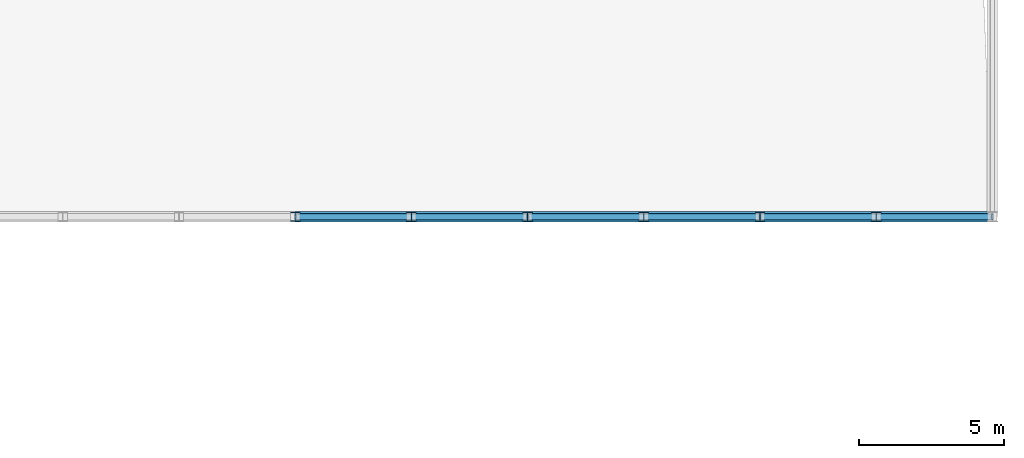
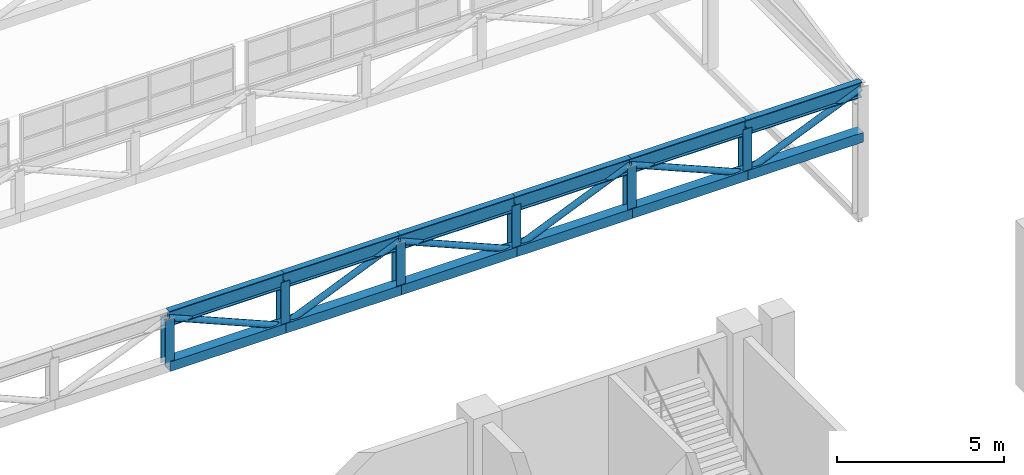
# One storey, part 72 of 159: 24 members.
"""IFC4 building model written with IfcOpenShell, lengths in metres."""

from ifc_helpers import new_model, si_unit, direction, frame, origin, origin_2d, place, context, subcontext, project, spatial, hollow_rectangle, hollow_circle, i_section, extrude, material, material_profile, profile_set, type_object, element, save


model = new_model("IFC4")

# Units and contexts
model_context = context("Model", 3, precision=1e-05, world=origin(), true_north=direction((0.0, 1.0)))
body_context = subcontext(model_context, "Body", "Model", "MODEL_VIEW")
ifc_project = project(units=[si_unit("LENGTHUNIT", "METRE"), si_unit("AREAUNIT", "SQUARE_METRE"), si_unit("VOLUMEUNIT", "CUBIC_METRE"), si_unit("PLANEANGLEUNIT", "RADIAN"), si_unit("MASSUNIT", "GRAM", prefix="KILO")], contexts=[model_context])

# Site, building, storey
site_placement = place(None, origin())
site = spatial("IfcSite", under=ifc_project, at=site_placement, CompositionType="ELEMENT")
building_placement = place(site_placement, origin())
building = spatial("IfcBuilding", under=site, at=building_placement, Name="Cazmaro Siding Exhibition Halls", CompositionType="ELEMENT")
storey_placement = place(building_placement, frame((0.0, 0.0, 6.0)))
storey = spatial("IfcBuildingStorey", under=building, at=storey_placement, Name="L01", CompositionType="ELEMENT", Elevation=6.0)

# Members
ifc_material_1 = material(Name="Steel ASTM A992 Grade 50", Category="steel")
ifc_material_profile_1 = material_profile(ifc_material_1, i_section(OverallWidth=0.214111328125, OverallDepth=0.549072265625, WebThickness=0.014892578125, FlangeThickness=0.02392578125, at=origin_2d()), Name="W21X93")
ifc_profile_set_1 = profile_set([ifc_material_profile_1], Name="Steel ASTM A992 Grade 50")
member_type_1 = type_object("IfcMemberType", Name="TC-04", PredefinedType="CHORD", material=ifc_profile_set_1)
for number, where, z_axis, x_axis, name in (
    (1, (192.0, 64.0, 4.64990234375), (1.0, 0.0, 0.0), (0.0, 1.0, 0.0), "Sawtooth truss top chord TC-04 MEM-2983"),
    (2, (196.0, 64.0, 4.64990234375), (1.0, 0.0, 0.0), (0.0, 1.0, 0.0), "Sawtooth truss top chord TC-04 MEM-2986"),
    (3, (200.0, 64.0, 4.64990234375), (1.0, 0.0, 0.0), (0.0, 1.0, 0.0), "Sawtooth truss top chord TC-04 MEM-2989"),
    (4, (204.0, 64.0, 4.64990234375), (1.0, 0.0, 0.0), (0.0, 1.0, 0.0), "Sawtooth truss top chord TC-04 MEM-2992"),
    (5, (208.0, 64.0, 4.64990234375), (1.0, 0.0, 0.0), (0.0, 1.0, 0.0), "Sawtooth truss top chord TC-04 MEM-2995"),
    (6, (212.0, 64.0, 4.64990234375), (1.0, 0.0, 0.0), (0.0, 1.0, 0.0), "Sawtooth truss top chord TC-04 MEM-2998"),
):
    element("IfcMember", number, at=place(storey_placement, frame(where, z_axis=z_axis, x_axis=x_axis)), inside=storey, type_object=member_type_1, Name=name, PredefinedType="CHORD", context=body_context, shape_type="SweptSolid", body=[
        extrude(i_section(OverallWidth=0.214111328125, OverallDepth=0.549072265625, WebThickness=0.014892578125, FlangeThickness=0.02392578125, at=origin_2d()), origin(), (0.0, 0.0, 1.0), 4.0),
    ])
ifc_material_2 = material(Name="Steel ASTM A500 Grade C", Category="steel")
ifc_material_profile_2 = material_profile(ifc_material_2, hollow_rectangle(XDim=0.35595703125, YDim=0.35595703125, WallThickness=0.014892578125, at=origin_2d()), Name="HSS14X14X5/8")
ifc_profile_set_2 = profile_set([ifc_material_profile_2], Name="Steel ASTM A500 Grade C")
member_type_2 = type_object("IfcMemberType", Name="TC-05", PredefinedType="CHORD", material=ifc_profile_set_2)
for number, where, z_axis, x_axis, name in (
    (7, (192.0, 64.0, 2.949951171875), (1.0, 0.0, 0.0), (0.0, 1.0, 0.0), "Sawtooth truss bottom chord TC-05 MEM-2984"),
    (8, (196.0, 64.0, 2.949951171875), (1.0, 0.0, 0.0), (0.0, 1.0, 0.0), "Sawtooth truss bottom chord TC-05 MEM-2987"),
    (9, (200.0, 64.0, 2.949951171875), (1.0, 0.0, 0.0), (0.0, 1.0, 0.0), "Sawtooth truss bottom chord TC-05 MEM-2990"),
    (10, (204.0, 64.0, 2.949951171875), (1.0, 0.0, 0.0), (0.0, 1.0, 0.0), "Sawtooth truss bottom chord TC-05 MEM-2993"),
    (11, (208.0, 64.0, 2.949951171875), (1.0, 0.0, 0.0), (0.0, 1.0, 0.0), "Sawtooth truss bottom chord TC-05 MEM-2996"),
    (12, (212.0, 64.0, 2.949951171875), (1.0, 0.0, 0.0), (0.0, 1.0, 0.0), "Sawtooth truss bottom chord TC-05 MEM-2999"),
):
    element("IfcMember", number, at=place(storey_placement, frame(where, z_axis=z_axis, x_axis=x_axis)), inside=storey, type_object=member_type_2, Name=name, PredefinedType="CHORD", context=body_context, shape_type="SweptSolid", body=[
        extrude(hollow_rectangle(XDim=0.35595703125, YDim=0.35595703125, WallThickness=0.014892578125, at=origin_2d()), origin(), (0.0, 0.0, 1.0), 4.0),
    ])
ifc_material_3 = material(Name="Steel ASTM A992 Grade 50", Category="steel")
ifc_material_profile_3 = material_profile(ifc_material_3, i_section(OverallWidth=0.304931640625, OverallDepth=0.306884765625, WebThickness=0.010009765625, FlangeThickness=0.014892578125, at=origin_2d()), Name="W12X65")
ifc_profile_set_3 = profile_set([ifc_material_profile_3], Name="Steel ASTM A992 Grade 50")
member_type_3 = type_object("IfcMemberType", Name="TP-03", PredefinedType="POST", material=ifc_profile_set_3)
for number, where, z_axis, x_axis, name in (
    (13, (192.0, 64.0, 2.949951171875), (0.0, 0.0, 1.0), (1.0, 0.0, 0.0), "Sawtooth truss post TP-03 MEM-3004"),
    (14, (196.0, 64.0, 2.949951171875), (0.0, 0.0, 1.0), (1.0, 0.0, 0.0), "Sawtooth truss post TP-03 MEM-3005"),
    (15, (200.0, 64.0, 2.949951171875), (0.0, 0.0, 1.0), (1.0, 0.0, 0.0), "Sawtooth truss post TP-03 MEM-3006"),
    (16, (204.0, 64.0, 2.949951171875), (0.0, 0.0, 1.0), (1.0, 0.0, 0.0), "Sawtooth truss post TP-03 MEM-3007"),
    (17, (208.0, 64.0, 2.949951171875), (0.0, 0.0, 1.0), (1.0, 0.0, 0.0), "Sawtooth truss post TP-03 MEM-3008"),
    (18, (212.0, 64.0, 2.949951171875), (0.0, 0.0, 1.0), (1.0, 0.0, 0.0), "Sawtooth truss post TP-03 MEM-3009"),
):
    element("IfcMember", number, at=place(storey_placement, frame(where, z_axis=z_axis, x_axis=x_axis)), inside=storey, type_object=member_type_3, Name=name, PredefinedType="POST", context=body_context, shape_type="SweptSolid", body=[
        extrude(i_section(OverallWidth=0.304931640625, OverallDepth=0.306884765625, WebThickness=0.010009765625, FlangeThickness=0.014892578125, at=origin_2d()), origin(), (0.0, 0.0, 1.0), 1.699951171875),
    ])
ifc_material_4 = material(Name="Steel ASTM A500 Grade C", Category="steel")
ifc_material_profile_4 = material_profile(ifc_material_4, hollow_circle(Radius=0.109619140625, WallThickness=0.012939453125, at=origin_2d()), Name="PIPE8XS")
ifc_profile_set_4 = profile_set([ifc_material_profile_4], Name="Steel ASTM A500 Grade C")
member_type_4 = type_object("IfcMemberType", Name="WB-01", PredefinedType="BRACE", material=ifc_profile_set_4)
for number, where, z_axis, x_axis, name in (
    (19, (192.0, 64.0, 4.64990234375), (0.920334962612, 0.0, -0.391131124553), (0.0, 1.0, 0.0), "Sawtooth truss diagonal WB-01 MEM-2985"),
    (20, (196.0, 64.0, 2.949951171875), (0.920334962612, 0.0, 0.391131124553), (0.0, 1.0, 0.0), "Sawtooth truss diagonal WB-01 MEM-2988"),
    (21, (200.0, 64.0, 4.64990234375), (0.920334962612, 0.0, -0.391131124553), (0.0, 1.0, 0.0), "Sawtooth truss diagonal WB-01 MEM-2991"),
    (22, (204.0, 64.0, 2.949951171875), (0.920334962612, 0.0, 0.391131124553), (0.0, 1.0, 0.0), "Sawtooth truss diagonal WB-01 MEM-2994"),
    (23, (208.0, 64.0, 4.64990234375), (0.920334962612, 0.0, -0.391131124553), (0.0, 1.0, 0.0), "Sawtooth truss diagonal WB-01 MEM-2997"),
    (24, (212.0, 64.0, 2.949951171875), (0.920334962612, 0.0, 0.391131124553), (0.0, 1.0, 0.0), "Sawtooth truss diagonal WB-01 MEM-3000"),
):
    element("IfcMember", number, at=place(storey_placement, frame(where, z_axis=z_axis, x_axis=x_axis)), inside=storey, type_object=member_type_4, Name=name, PredefinedType="BRACE", context=body_context, shape_type="SweptSolid", body=[
        extrude(hollow_circle(Radius=0.109619140625, WallThickness=0.012939453125, at=origin_2d()), origin(), (0.0, 0.0, 1.0), 4.34619140625),
    ])

save(model, "model.ifc")
